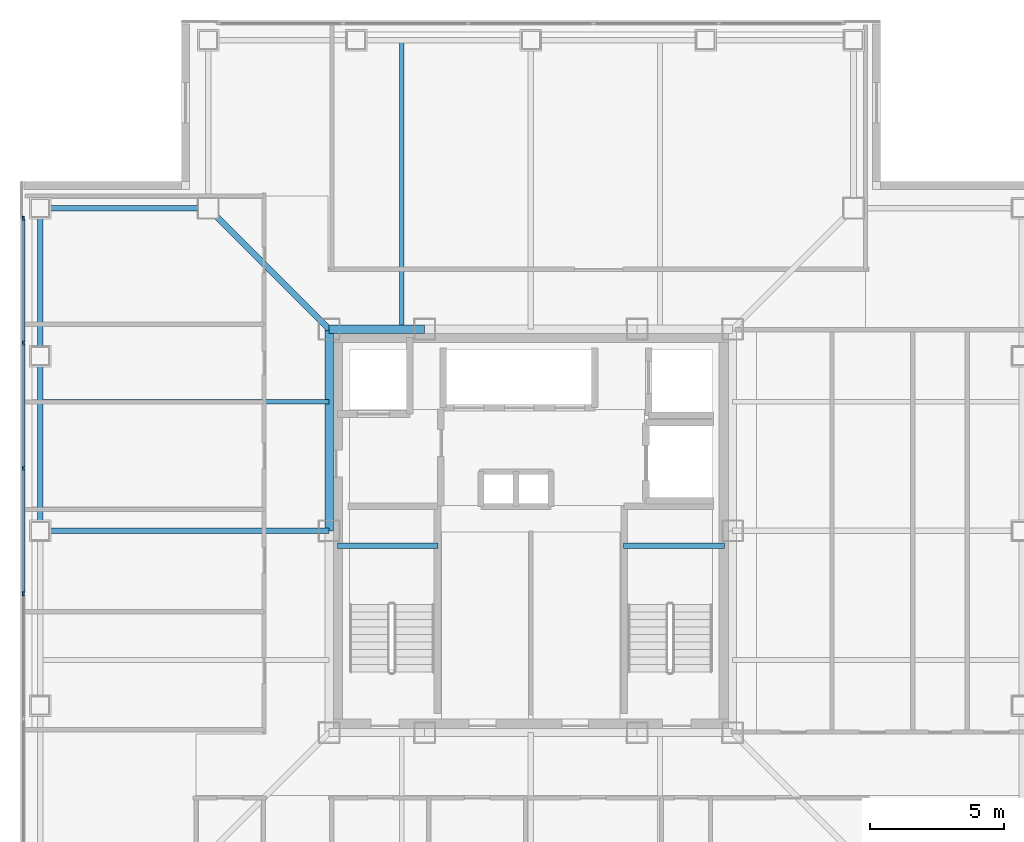
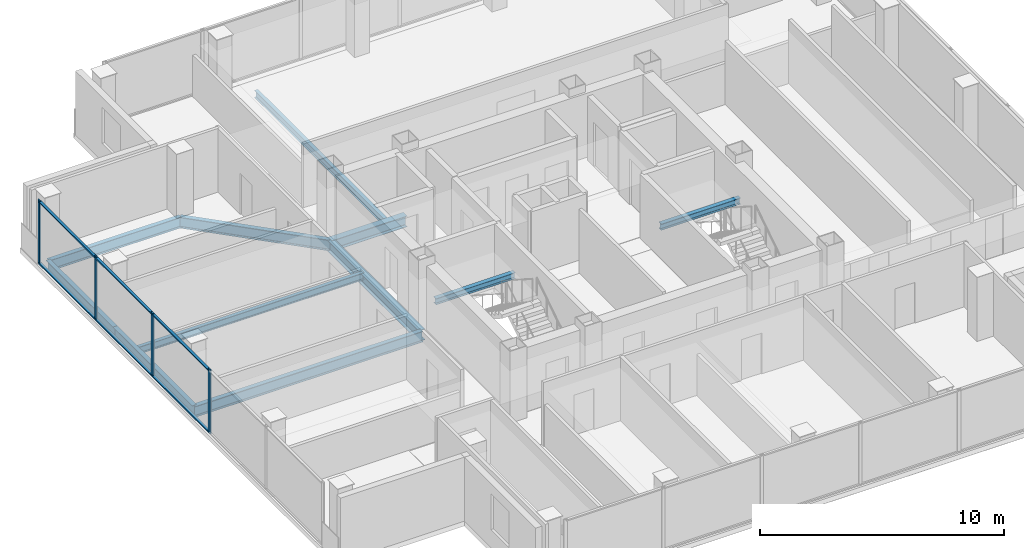
# One storey, part 4 of 16: 11 beams, 10 members, 1 element without a shape of its own.
"""IFC4 building model written with IfcOpenShell, lengths in metres."""

from ifc_helpers import new_model, si_unit, direction, frame, origin, origin_2d, place, context, subcontext, project, spatial, rectangle, i_section, extrude, material, layer, layer_set, material_profile, profile_set, type_object, element, aggregate, save


model = new_model("IFC4")

# Units and contexts
model_context = context("Model", 3, precision=1e-05, world=origin(), true_north=direction((0.0, 1.0)))
body_context = subcontext(model_context, "Body", "Model", "MODEL_VIEW")
ifc_project = project(units=[si_unit("LENGTHUNIT", "METRE"), si_unit("AREAUNIT", "SQUARE_METRE"), si_unit("VOLUMEUNIT", "CUBIC_METRE"), si_unit("PLANEANGLEUNIT", "RADIAN"), si_unit("MASSUNIT", "GRAM", prefix="KILO")], contexts=[model_context])

# Site, building, storey
site_placement = place(None, origin())
site = spatial("IfcSite", under=ifc_project, at=site_placement, CompositionType="ELEMENT")
building_placement = place(site_placement, origin())
building = spatial("IfcBuilding", under=site, at=building_placement, Name="Trevonay Congress Spire", CompositionType="ELEMENT")
storey_placement = place(building_placement, frame((0.0, 0.0, 297.199951171875)))
storey = spatial("IfcBuildingStorey", under=building, at=storey_placement, Name="L78", CompositionType="ELEMENT", Elevation=297.199951171875)

# Beams
ifc_material_1 = material(Name="Steel ASTM A572 Grade 50", Category="steel")
ifc_material_profile_1 = material_profile(ifc_material_1, i_section(OverallWidth=0.2119140625, OverallDepth=0.5439453125, WebThickness=0.01318359375, FlangeThickness=0.021240234375, FilletRadius=0.014892578125, at=origin_2d()), Name="W530x123")
ifc_profile_set_1 = profile_set([ifc_material_profile_1], Name="Steel ASTM A572 Grade 50")
beam_type_1 = type_object("IfcBeamType", Name="BM-GIRD-W530X123", PredefinedType="BEAM", material=ifc_profile_set_1)
beam_1_placement = place(storey_placement, frame((-7.5, 7.5, -0.511962890625), z_axis=(-0.707106781187, 0.707106781187, 0.0), x_axis=(-0.707106781187, -0.707106781187, 0.0)))
element("IfcBeam", 1, at=beam_1_placement, inside=storey, type_object=beam_type_1, Name="L78 structural beam BM-L78-CDNW", PredefinedType="BEAM", context=body_context, shape_type="SweptSolid", body=[
    extrude(i_section(OverallWidth=0.2119140625, OverallDepth=0.5439453125, WebThickness=0.01318359375, FlangeThickness=0.021240234375, FilletRadius=0.014892578125, at=origin_2d()), origin(), (0.0, 0.0, 1.0), 6.364013671875),
])
beam_2_placement = place(storey_placement, frame((-7.5, 0.0, -0.511962890625), z_axis=(-1.0, 0.0, 0.0), x_axis=(0.0, -1.0, 0.0)))
element("IfcBeam", 2, at=beam_2_placement, inside=storey, type_object=beam_type_1, Name="L78 structural beam BM-L78-GC-W", PredefinedType="BEAM", context=body_context, shape_type="SweptSolid", body=[
    extrude(i_section(OverallWidth=0.2119140625, OverallDepth=0.5439453125, WebThickness=0.01318359375, FlangeThickness=0.021240234375, FilletRadius=0.014892578125, at=origin_2d()), origin(), (0.0, 0.0, 1.0), 10.75),
])
ifc_material_profile_2 = material_profile(ifc_material_1, i_section(OverallWidth=0.31201171875, OverallDepth=0.54296875, WebThickness=0.0126953125, FlangeThickness=0.020263671875, FilletRadius=0.014892578125, at=origin_2d()), Name="W530x150")
ifc_profile_set_2 = profile_set([ifc_material_profile_2], Name="Steel ASTM A572 Grade 50")
beam_type_2 = type_object("IfcBeamType", Name="BM-GIRD-W530X150", PredefinedType="BEAM", material=ifc_profile_set_2)
beam_3_placement = place(storey_placement, frame((-7.5, 7.5, -0.511474609375), z_axis=(1.0, 0.0, 0.0), x_axis=(0.0, 1.0, 0.0)))
element("IfcBeam", 3, at=beam_3_placement, inside=storey, type_object=beam_type_2, Name="L78 structural beam BM-L78-CR-N1", PredefinedType="BEAM", context=body_context, shape_type="SweptSolid", body=[
    extrude(i_section(OverallWidth=0.31201171875, OverallDepth=0.54296875, WebThickness=0.0126953125, FlangeThickness=0.020263671875, FilletRadius=0.014892578125, at=origin_2d()), origin(), (0.0, 0.0, 1.0), 3.550048828125),
])
beam_4_placement = place(storey_placement, frame((-7.5, 0.0, -0.511474609375), z_axis=(0.0, 1.0, 0.0), x_axis=(-1.0, 0.0, 0.0)))
element("IfcBeam", 4, at=beam_4_placement, inside=storey, type_object=beam_type_2, Name="L78 structural beam BM-L78-CR-W2", PredefinedType="BEAM", context=body_context, shape_type="SweptSolid", body=[
    extrude(i_section(OverallWidth=0.31201171875, OverallDepth=0.54296875, WebThickness=0.0126953125, FlangeThickness=0.020263671875, FilletRadius=0.014892578125, at=origin_2d()), origin(), (0.0, 0.0, 1.0), 7.5),
])
ifc_material_profile_3 = material_profile(ifc_material_1, i_section(OverallWidth=0.208984375, OverallDepth=0.532958984375, WebThickness=0.01025390625, FlangeThickness=0.015625, FilletRadius=0.014892578125, at=origin_2d()), Name="W530x92")
ifc_profile_set_3 = profile_set([ifc_material_profile_3], Name="Steel ASTM A572 Grade 50")
beam_type_3 = type_object("IfcBeamType", Name="BM-RING-W530X92", PredefinedType="BEAM", material=ifc_profile_set_3)
beam_5_placement = place(storey_placement, frame((-18.25, 0.0, -0.50634765625), z_axis=(0.0, 1.0, 0.0), x_axis=(-1.0, 0.0, 0.0)))
element("IfcBeam", 5, at=beam_5_placement, inside=storey, type_object=beam_type_3, Name="L78 structural beam BM-L78-PW3", PredefinedType="BEAM", context=body_context, shape_type="SweptSolid", body=[
    extrude(i_section(OverallWidth=0.208984375, OverallDepth=0.532958984375, WebThickness=0.01025390625, FlangeThickness=0.015625, FilletRadius=0.014892578125, at=origin_2d()), origin(), (0.0, 0.0, 1.0), 6.5),
])
beam_6_placement = place(storey_placement, frame((-18.25, 6.5, -0.50634765625), z_axis=(0.0, 1.0, 0.0), x_axis=(-1.0, 0.0, 0.0)))
element("IfcBeam", 6, at=beam_6_placement, inside=storey, type_object=beam_type_3, Name="L78 structural beam BM-L78-PW4", PredefinedType="BEAM", context=body_context, shape_type="SweptSolid", body=[
    extrude(i_section(OverallWidth=0.208984375, OverallDepth=0.532958984375, WebThickness=0.01025390625, FlangeThickness=0.015625, FilletRadius=0.014892578125, at=origin_2d()), origin(), (0.0, 0.0, 1.0), 5.5),
])
beam_7_placement = place(storey_placement, frame((-18.25, 12.0, -0.50634765625), z_axis=(1.0, 0.0, 0.0), x_axis=(0.0, 1.0, 0.0)))
element("IfcBeam", 7, at=beam_7_placement, inside=storey, type_object=beam_type_3, Name="L78 structural beam BM-L78-N2NW", PredefinedType="BEAM", context=body_context, shape_type="SweptSolid", body=[
    extrude(i_section(OverallWidth=0.208984375, OverallDepth=0.532958984375, WebThickness=0.01025390625, FlangeThickness=0.015625, FilletRadius=0.014892578125, at=origin_2d()), origin(), (0.0, 0.0, 1.0), 6.25),
])

# Curtain wall, members
ifc_material_2 = material(Name="Pale Anodised Aluminium EN AW-6063-T6", Category="aluminium")
ifc_layer = layer(ifc_material_2, 0.1650390625, Name="Pale Anodised Aluminium EN AW-6063-T6")
ifc_layer_set = layer_set([ifc_layer], Name="Pale Anodised Aluminium EN AW-6063-T6")
curtain_wall_type = type_object("IfcCurtainWallType", Name="CW-SYS05-DIPLOM-PALE-METAL", PredefinedType="NOTDEFINED", material=ifc_layer_set)
curtain_wall_placement = place(storey_placement, origin())
curtain_wall = element("IfcCurtainWall", 8, at=curtain_wall_placement, inside=storey, type_object=curtain_wall_type, Name="L78 W unitised curtain wall", PredefinedType="NOTDEFINED")
ifc_material_profile_4 = material_profile(ifc_material_2, rectangle(XDim=0.06005859375, YDim=0.159912109375, at=origin_2d()), Name="CW-MULLION-160-ALUMINIUM")
ifc_profile_set_4 = profile_set([ifc_material_profile_4], Name="Pale Anodised Aluminium EN AW-6063-T6")
member_type_1 = type_object("IfcMemberType", Name="CW-MULLION-160-ALUMINIUM", PredefinedType="MULLION", material=ifc_profile_set_4)
member_1_placement = place(storey_placement, frame((-18.8798828125, -2.330078125, 0.0), z_axis=(0.0, 0.0, 1.0), x_axis=(-1.0, 0.0, 0.0)))
member_1 = element("IfcMember", 9, at=member_1_placement, type_object=member_type_1, Name="CW05 mullion 3", PredefinedType="MULLION", context=body_context, shape_type="SweptSolid", body=[
    extrude(rectangle(XDim=0.06005859375, YDim=0.159912109375, at=origin_2d()), origin(), (0.0, 0.0, 1.0), 3.199951171875),
])
member_2_placement = place(storey_placement, frame((-18.8798828125, 2.330078125, 0.0), z_axis=(0.0, 0.0, 1.0), x_axis=(-1.0, 0.0, 0.0)))
member_2 = element("IfcMember", 10, at=member_2_placement, type_object=member_type_1, Name="CW05 mullion 4", PredefinedType="MULLION", context=body_context, shape_type="SweptSolid", body=[
    extrude(rectangle(XDim=0.06005859375, YDim=0.159912109375, at=origin_2d()), origin(), (0.0, 0.0, 1.0), 3.199951171875),
])
member_3_placement = place(storey_placement, frame((-18.8798828125, 6.989990234375, 0.0), z_axis=(0.0, 0.0, 1.0), x_axis=(-1.0, 0.0, 0.0)))
member_3 = element("IfcMember", 11, at=member_3_placement, type_object=member_type_1, Name="CW05 mullion 5", PredefinedType="MULLION", context=body_context, shape_type="SweptSolid", body=[
    extrude(rectangle(XDim=0.06005859375, YDim=0.159912109375, at=origin_2d()), origin(), (0.0, 0.0, 1.0), 3.199951171875),
])
member_4_placement = place(storey_placement, frame((-18.8798828125, 11.6201171875, 0.0), z_axis=(0.0, 0.0, 1.0), x_axis=(-1.0, 0.0, 0.0)))
member_4 = element("IfcMember", 12, at=member_4_placement, type_object=member_type_1, Name="CW05 mullion 6", PredefinedType="MULLION", context=body_context, shape_type="SweptSolid", body=[
    extrude(rectangle(XDim=0.06005859375, YDim=0.159912109375, at=origin_2d()), origin(), (0.0, 0.0, 1.0), 3.199951171875),
])
ifc_material_profile_5 = material_profile(ifc_material_2, rectangle(XDim=0.1201171875, YDim=0.06005859375, at=origin_2d()), Name="CW-TRANSOM-120-ALUMINIUM")
ifc_profile_set_5 = profile_set([ifc_material_profile_5], Name="Pale Anodised Aluminium EN AW-6063-T6")
member_type_2 = type_object("IfcMemberType", Name="CW-TRANSOM-120-ALUMINIUM", PredefinedType="USERDEFINED", material=ifc_profile_set_5)
member_5_placement = place(storey_placement, frame((-18.8798828125, -2.300048828125, 0.06005859375), z_axis=(0.0, 1.0, 0.0), x_axis=(-1.0, 0.0, 0.0)))
member_5 = element("IfcMember", 13, at=member_5_placement, type_object=member_type_2, Name="CW05 transom 3.1", ObjectType="TRANSOM", PredefinedType="USERDEFINED", context=body_context, shape_type="SweptSolid", body=[
    extrude(rectangle(XDim=0.1201171875, YDim=0.06005859375, at=origin_2d()), origin(), (0.0, 0.0, 1.0), 4.60009765625),
])
member_6_placement = place(storey_placement, frame((-18.8798828125, -2.300048828125, 3.14013671875), z_axis=(0.0, 1.0, 0.0), x_axis=(-1.0, 0.0, 0.0)))
member_6 = element("IfcMember", 14, at=member_6_placement, type_object=member_type_2, Name="CW05 transom 3.2", ObjectType="TRANSOM", PredefinedType="USERDEFINED", context=body_context, shape_type="SweptSolid", body=[
    extrude(rectangle(XDim=0.1201171875, YDim=0.06005859375, at=origin_2d()), origin(), (0.0, 0.0, 1.0), 4.60009765625),
])
member_7_placement = place(storey_placement, frame((-18.8798828125, 2.360107421875, 0.06005859375), z_axis=(0.0, 1.0, 0.0), x_axis=(-1.0, 0.0, 0.0)))
member_7 = element("IfcMember", 15, at=member_7_placement, type_object=member_type_2, Name="CW05 transom 4.1", ObjectType="TRANSOM", PredefinedType="USERDEFINED", context=body_context, shape_type="SweptSolid", body=[
    extrude(rectangle(XDim=0.1201171875, YDim=0.06005859375, at=origin_2d()), origin(), (0.0, 0.0, 1.0), 4.599853515625),
])
member_8_placement = place(storey_placement, frame((-18.8798828125, 2.360107421875, 3.14013671875), z_axis=(0.0, 1.0, 0.0), x_axis=(-1.0, 0.0, 0.0)))
member_8 = element("IfcMember", 16, at=member_8_placement, type_object=member_type_2, Name="CW05 transom 4.2", ObjectType="TRANSOM", PredefinedType="USERDEFINED", context=body_context, shape_type="SweptSolid", body=[
    extrude(rectangle(XDim=0.1201171875, YDim=0.06005859375, at=origin_2d()), origin(), (0.0, 0.0, 1.0), 4.599853515625),
])
member_9_placement = place(storey_placement, frame((-18.8798828125, 7.02001953125, 0.06005859375), z_axis=(0.0, 1.0, 0.0), x_axis=(-1.0, 0.0, 0.0)))
member_9 = element("IfcMember", 17, at=member_9_placement, type_object=member_type_2, Name="CW05 transom 5.1", ObjectType="TRANSOM", PredefinedType="USERDEFINED", context=body_context, shape_type="SweptSolid", body=[
    extrude(rectangle(XDim=0.1201171875, YDim=0.06005859375, at=origin_2d()), origin(), (0.0, 0.0, 1.0), 4.570068359375),
])
member_10_placement = place(storey_placement, frame((-18.8798828125, 7.02001953125, 3.14013671875), z_axis=(0.0, 1.0, 0.0), x_axis=(-1.0, 0.0, 0.0)))
member_10 = element("IfcMember", 18, at=member_10_placement, type_object=member_type_2, Name="CW05 transom 5.2", ObjectType="TRANSOM", PredefinedType="USERDEFINED", context=body_context, shape_type="SweptSolid", body=[
    extrude(rectangle(XDim=0.1201171875, YDim=0.06005859375, at=origin_2d()), origin(), (0.0, 0.0, 1.0), 4.570068359375),
])
aggregate(curtain_wall, [member_1, member_2, member_3, member_4, member_5, member_6, member_7, member_8, member_9, member_10])

# Beams
ifc_material_profile_6 = material_profile(ifc_material_1, i_section(OverallWidth=0.172119140625, OverallDepth=0.35791015625, WebThickness=0.0078125, FlangeThickness=0.01318359375, FilletRadius=0.011962890625, at=origin_2d()), Name="W360x57.8")
ifc_profile_set_6 = profile_set([ifc_material_profile_6], Name="Steel ASTM A572 Grade 50")
beam_type_4 = type_object("IfcBeamType", Name="JS-COMP-W360X57", PredefinedType="JOIST", material=ifc_profile_set_6)
for number, where, z_axis, x_axis, name in (
    (19, (-4.800048828125, 7.5, -0.4189453125), (0.0, 1.0, 0.0), (-1.0, 0.0, 0.0), "L78 structural beam JS-L78-NS-N1"),
    (20, (-18.25, 4.800048828125, -0.4189453125), (1.0, 0.0, 0.0), (0.0, 1.0, 0.0), "L78 structural beam JS-L78-EW-W3"),
):
    element("IfcBeam", number, at=place(storey_placement, frame(where, z_axis=z_axis, x_axis=x_axis)), inside=storey, type_object=beam_type_4, Name=name, PredefinedType="JOIST", context=body_context, shape_type="SweptSolid", body=[
        extrude(i_section(OverallWidth=0.172119140625, OverallDepth=0.35791015625, WebThickness=0.0078125, FlangeThickness=0.01318359375, FilletRadius=0.011962890625, at=origin_2d()), origin(), (0.0, 0.0, 1.0), 10.75),
    ])
ifc_material_profile_7 = material_profile(ifc_material_1, i_section(OverallWidth=0.2041015625, OverallDepth=0.305908203125, WebThickness=0.008544921875, FlangeThickness=0.0146484375, FilletRadius=0.010986328125, at=origin_2d()), Name="W310x67")
ifc_profile_set_7 = profile_set([ifc_material_profile_7], Name="Steel ASTM A572 Grade 50")
beam_type_5 = type_object("IfcBeamType", Name="LN-CORE-W310X67", PredefinedType="LINTEL", material=ifc_profile_set_7)
for number, where, z_axis, x_axis, name in (
    (21, (-7.199951171875, -0.550048828125, 1.447021484375), (1.0, 0.0, 0.0), (0.0, 1.0, 0.0), "L78 structural beam BM-L78-HL-ST1"),
    (22, (3.449951171875, -0.550048828125, 1.447021484375), (1.0, 0.0, 0.0), (0.0, 1.0, 0.0), "L78 structural beam BM-L78-HL-ST2"),
):
    element("IfcBeam", number, at=place(storey_placement, frame(where, z_axis=z_axis, x_axis=x_axis)), inside=storey, type_object=beam_type_5, Name=name, PredefinedType="LINTEL", context=body_context, shape_type="SweptSolid", body=[
        extrude(i_section(OverallWidth=0.2041015625, OverallDepth=0.305908203125, WebThickness=0.008544921875, FlangeThickness=0.0146484375, FilletRadius=0.010986328125, at=origin_2d()), origin(), (0.0, 0.0, 1.0), 3.75),
    ])

save(model, "model.ifc")
